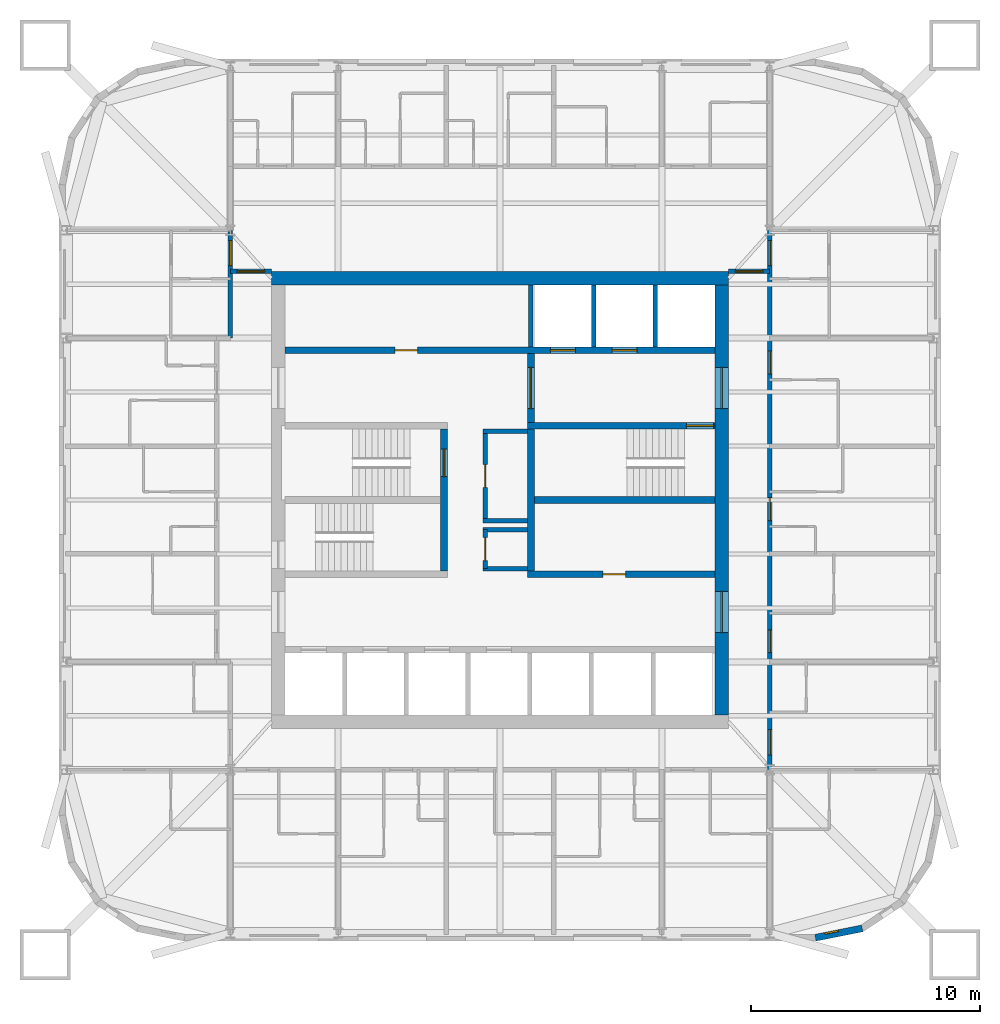
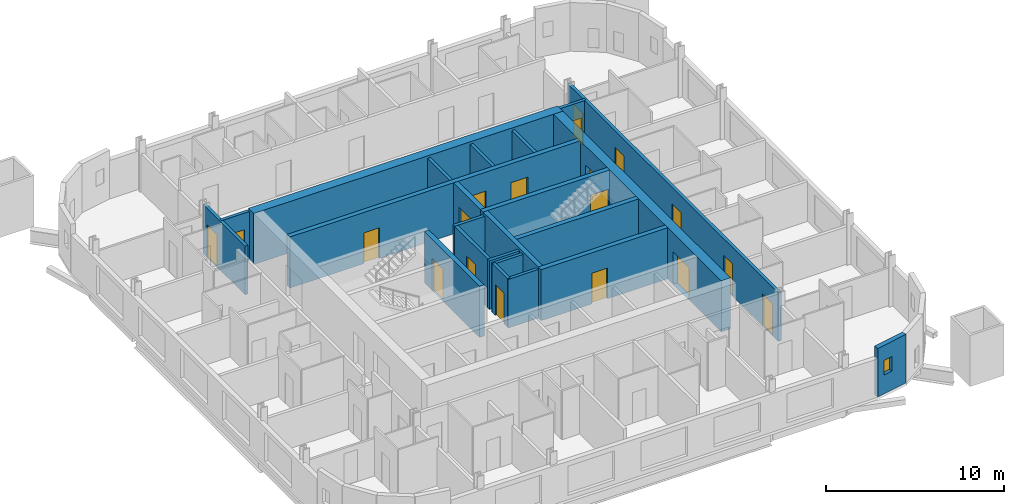
# One storey, part 5 of 9: 22 walls, 19 doors, 1 window, 20 openings.
"""IFC4 building model written with IfcOpenShell, lengths in metres."""

from ifc_helpers import new_model, si_unit, direction, frame, frame_2d, origin, place, context, subcontext, project, spatial, rectangle, extrude, material, layer, layer_set, type_object, element, fill, save


model = new_model("IFC4")

# Units and contexts
model_context = context("Model", 3, precision=1e-05, world=origin(), true_north=direction((0.0, 1.0)))
body_context = subcontext(model_context, "Body", "Model", "MODEL_VIEW")
ifc_project = project(units=[si_unit("LENGTHUNIT", "METRE"), si_unit("AREAUNIT", "SQUARE_METRE"), si_unit("VOLUMEUNIT", "CUBIC_METRE"), si_unit("PLANEANGLEUNIT", "RADIAN"), si_unit("MASSUNIT", "GRAM", prefix="KILO")], contexts=[model_context])

# Site, building, storey
site_placement = place(None, origin())
site = spatial("IfcSite", under=ifc_project, at=site_placement, CompositionType="ELEMENT")
building_placement = place(site_placement, origin())
building = spatial("IfcBuilding", under=site, at=building_placement, Name="Turquesa Mirador Hotel Tower", CompositionType="ELEMENT")
storey_placement = place(building_placement, frame((0.0, 0.0, 214.300048828125)))
storey = spatial("IfcBuildingStorey", under=building, at=storey_placement, Name="L58", CompositionType="ELEMENT", Elevation=214.300048828125)

# Wall, openings, doors
ifc_material_1 = material(Name="Concrete C50/60", Category="concrete")
ifc_layer_1 = layer(ifc_material_1, 0.300048828125)
ifc_layer_set_1 = layer_set([ifc_layer_1], Name="CORE INNER WALL 300")
wall_type_1 = type_object("IfcWallType", Name="CORE INNER WALL 300", PredefinedType="SHEAR", material=ifc_layer_set_1)
wall_1_placement = place(storey_placement, frame((45.60009765625, 51.550048828125, 0.0), z_axis=(0.0, 0.0, 1.0), x_axis=(1.0, 0.0, 0.0)))
wall_1 = element("IfcWall", 1, at=wall_1_placement, inside=storey, type_object=wall_type_1, Name="Core wall NL", PredefinedType="SHEAR", context=body_context, shape_type="SweptSolid", body=[
    extrude(rectangle(XDim=18.7998046875, YDim=0.300048828125, at=frame_2d((9.39990234375, 0.0))), origin(), (0.0, 0.0, 1.0), 3.5),
])
opening_1_placement = place(wall_1_placement, frame((4.800048828125, 0.0, 0.0)))
opening_1 = element("IfcOpeningElement", 2, at=opening_1_placement, cuts=wall_1, Name="Opening D05", PredefinedType="OPENING", context=body_context, shape_type="SweptSolid", body=[
    extrude(rectangle(XDim=1.0, YDim=2.10009765625, at=frame_2d((0.5, 1.050048828125))), frame((0.0, 0.159912109375, 0.0), z_axis=(0.0, -1.0, 0.0), x_axis=(1.0, 0.0, 0.0)), (0.0, 0.0, 1.0), 0.320068359375),
])
opening_2_placement = place(wall_1_placement, frame((11.60009765625, 0.0, 0.0)))
opening_2 = element("IfcOpeningElement", 3, at=opening_2_placement, cuts=wall_1, Name="Opening LD", PredefinedType="OPENING", context=body_context, shape_type="SweptSolid", body=[
    extrude(rectangle(XDim=1.10009765625, YDim=2.199951171875, at=frame_2d((0.550048828125, 1.10009765625))), frame((0.0, 0.159912109375, 0.0), z_axis=(0.0, -1.0, 0.0), x_axis=(1.0, 0.0, 0.0)), (0.0, 0.0, 1.0), 0.320068359375),
])
opening_3_placement = place(wall_1_placement, frame((14.300048828125, 0.0, 0.0)))
opening_3 = element("IfcOpeningElement", 4, at=opening_3_placement, cuts=wall_1, Name="Opening LD", PredefinedType="OPENING", context=body_context, shape_type="SweptSolid", body=[
    extrude(rectangle(XDim=1.10009765625, YDim=2.199951171875, at=frame_2d((0.550048828125, 1.10009765625))), frame((0.0, 0.159912109375, 0.0), z_axis=(0.0, -1.0, 0.0), x_axis=(1.0, 0.0, 0.0)), (0.0, 0.0, 1.0), 0.320068359375),
])
ifc_material_2 = material(Name="Steel fire door", Category="steel")
door_type_1 = type_object("IfcDoorType", Name="DOOR 1000X2100 SERVICE", OperationType="SINGLE_SWING_LEFT", PredefinedType="DOOR", material=ifc_material_2)
door_1_placement = place(opening_1_placement, origin())
door_1 = element("IfcDoor", 5, at=door_1_placement, inside=storey, type_object=door_type_1, Name="Linen store door", OperationType="SINGLE_SWING_LEFT", OverallHeight=2.10009765625, OverallWidth=1.0, PredefinedType="DOOR", context=body_context, shape_type="SweptSolid", body=[
    extrude(rectangle(XDim=1.0, YDim=2.10009765625, at=frame_2d((0.5, 1.050048828125))), frame((0.0, 0.02490234375, 0.0), z_axis=(0.0, -1.0, 0.0), x_axis=(1.0, 0.0, 0.0)), (0.0, 0.0, 1.0), 0.050048828125),
])
fill(opening_1, door_1)
ifc_material_3 = material(Name="Stainless steel lift landing door", Category="steel")
door_type_2 = type_object("IfcDoorType", Name="LIFT LANDING DOOR 1100X2200", OperationType="SLIDING_TO_LEFT", PredefinedType="DOOR", material=ifc_material_3)
door_2_placement = place(opening_2_placement, origin())
door_2 = element("IfcDoor", 6, at=door_2_placement, inside=storey, type_object=door_type_2, Name="Lift S1 landing door", OperationType="SLIDING_TO_LEFT", OverallHeight=2.199951171875, OverallWidth=1.10009765625, PredefinedType="DOOR", context=body_context, shape_type="SweptSolid", body=[
    extrude(rectangle(XDim=1.10009765625, YDim=2.199951171875, at=frame_2d((0.550048828125, 1.10009765625))), frame((0.0, 0.02490234375, 0.0), z_axis=(0.0, -1.0, 0.0), x_axis=(1.0, 0.0, 0.0)), (0.0, 0.0, 1.0), 0.050048828125),
])
fill(opening_2, door_2)
door_3_placement = place(opening_3_placement, origin())
door_3 = element("IfcDoor", 7, at=door_3_placement, inside=storey, type_object=door_type_2, Name="Lift S2 landing door", OperationType="SLIDING_TO_LEFT", OverallHeight=2.199951171875, OverallWidth=1.10009765625, PredefinedType="DOOR", context=body_context, shape_type="SweptSolid", body=[
    extrude(rectangle(XDim=1.10009765625, YDim=2.199951171875, at=frame_2d((0.550048828125, 1.10009765625))), frame((0.0, 0.02490234375, 0.0), z_axis=(0.0, -1.0, 0.0), x_axis=(1.0, 0.0, 0.0)), (0.0, 0.0, 1.0), 0.050048828125),
])
fill(opening_3, door_3)

# Wall, opening, door
wall_2_placement = place(storey_placement, frame((56.199951171875, 48.25, 0.0), z_axis=(0.0, 0.0, 1.0), x_axis=(1.0, 0.0, 0.0)))
wall_2 = element("IfcWall", 8, at=wall_2_placement, inside=storey, type_object=wall_type_1, Name="Core wall MN-E", PredefinedType="SHEAR", context=body_context, shape_type="SweptSolid", body=[
    extrude(rectangle(XDim=8.199951171875, YDim=0.300048828125, at=frame_2d((4.10009765625, 0.0))), origin(), (0.0, 0.0, 1.0), 3.5),
])
opening_4_placement = place(wall_2_placement, frame((6.949951171875, 0.0, 0.0)))
opening_4 = element("IfcOpeningElement", 9, at=opening_4_placement, cuts=wall_2, Name="Opening D03", PredefinedType="OPENING", context=body_context, shape_type="SweptSolid", body=[
    extrude(rectangle(XDim=1.199951171875, YDim=2.199951171875, at=frame_2d((0.60009765625, 1.10009765625))), frame((0.0, 0.159912109375, 0.0), z_axis=(0.0, -1.0, 0.0), x_axis=(1.0, 0.0, 0.0)), (0.0, 0.0, 1.0), 0.320068359375),
])
ifc_material_4 = material(Name="Steel fire door", Category="steel")
door_type_3 = type_object("IfcDoorType", Name="DOOR 1200X2200 STAIR", OperationType="SINGLE_SWING_LEFT", PredefinedType="DOOR", material=ifc_material_4)
door_4_placement = place(opening_4_placement, origin())
door_4 = element("IfcDoor", 10, at=door_4_placement, inside=storey, type_object=door_type_3, Name="Stair ST3 door", OperationType="SINGLE_SWING_LEFT", OverallHeight=2.199951171875, OverallWidth=1.199951171875, PredefinedType="DOOR", context=body_context, shape_type="SweptSolid", body=[
    extrude(rectangle(XDim=1.199951171875, YDim=2.199951171875, at=frame_2d((0.60009765625, 1.10009765625))), frame((0.0, 0.02490234375, 0.0), z_axis=(0.0, -1.0, 0.0), x_axis=(1.0, 0.0, 0.0)), (0.0, 0.0, 1.0), 0.050048828125),
])
fill(opening_4, door_4)

wall_3_placement = place(storey_placement, frame((56.199951171875, 41.75, 0.0), z_axis=(0.0, 0.0, 1.0), x_axis=(1.0, 0.0, 0.0)))
wall_3 = element("IfcWall", 11, at=wall_3_placement, inside=storey, type_object=wall_type_1, Name="Core wall MS-E", PredefinedType="SHEAR", context=body_context, shape_type="SweptSolid", body=[
    extrude(rectangle(XDim=8.199951171875, YDim=0.300048828125, at=frame_2d((4.10009765625, 0.0))), origin(), (0.0, 0.0, 1.0), 3.5),
])
opening_5_placement = place(wall_3_placement, frame((3.300048828125, 0.0, 0.0)))
opening_5 = element("IfcOpeningElement", 12, at=opening_5_placement, cuts=wall_3, Name="Opening D05", PredefinedType="OPENING", context=body_context, shape_type="SweptSolid", body=[
    extrude(rectangle(XDim=1.0, YDim=2.10009765625, at=frame_2d((0.5, 1.050048828125))), frame((0.0, 0.159912109375, 0.0), z_axis=(0.0, -1.0, 0.0), x_axis=(1.0, 0.0, 0.0)), (0.0, 0.0, 1.0), 0.320068359375),
])
door_5_placement = place(opening_5_placement, origin())
door_5 = element("IfcDoor", 13, at=door_5_placement, inside=storey, type_object=door_type_1, Name="Housekeeping room door", OperationType="SINGLE_SWING_LEFT", OverallHeight=2.10009765625, OverallWidth=1.0, PredefinedType="DOOR", context=body_context, shape_type="SweptSolid", body=[
    extrude(rectangle(XDim=1.0, YDim=2.10009765625, at=frame_2d((0.5, 1.050048828125))), frame((0.0, 0.02490234375, 0.0), z_axis=(0.0, -1.0, 0.0), x_axis=(1.0, 0.0, 0.0)), (0.0, 0.0, 1.0), 0.050048828125),
])
fill(opening_5, door_5)

wall_4_placement = place(storey_placement, frame((52.550048828125, 41.89990234375, 0.0), z_axis=(0.0, 0.0, 1.0), x_axis=(0.0, 1.0, 0.0)))
wall_4 = element("IfcWall", 14, at=wall_4_placement, inside=storey, type_object=wall_type_1, Name="Core wall PW", PredefinedType="SHEAR", context=body_context, shape_type="SweptSolid", body=[
    extrude(rectangle(XDim=6.2001953125, YDim=0.300048828125, at=frame_2d((3.10009765625, 0.0))), origin(), (0.0, 0.0, 1.0), 3.5),
])
opening_6_placement = place(wall_4_placement, frame((4.125, 0.0, 0.0)))
opening_6 = element("IfcOpeningElement", 15, at=opening_6_placement, cuts=wall_4, Name="Opening D03", PredefinedType="OPENING", context=body_context, shape_type="SweptSolid", body=[
    extrude(rectangle(XDim=1.199951171875, YDim=2.199951171875, at=frame_2d((0.60009765625, 1.10009765625))), frame((0.0, 0.159912109375, 0.0), z_axis=(0.0, -1.0, 0.0), x_axis=(1.0, 0.0, 0.0)), (0.0, 0.0, 1.0), 0.320068359375),
])
door_6_placement = place(opening_6_placement, origin())
door_6 = element("IfcDoor", 16, at=door_6_placement, inside=storey, type_object=door_type_3, Name="Stair ST1 door", OperationType="SINGLE_SWING_LEFT", OverallHeight=2.199951171875, OverallWidth=1.199951171875, PredefinedType="DOOR", context=body_context, shape_type="SweptSolid", body=[
    extrude(rectangle(XDim=1.199951171875, YDim=2.199951171875, at=frame_2d((0.60009765625, 1.10009765625))), frame((0.0, 0.02490234375, 0.0), z_axis=(0.0, -1.0, 0.0), x_axis=(1.0, 0.0, 0.0)), (0.0, 0.0, 1.0), 0.050048828125),
])
fill(opening_6, door_6)

wall_5_placement = place(storey_placement, frame((56.35009765625, 41.89990234375, 0.0), z_axis=(0.0, 0.0, 1.0), x_axis=(0.0, 1.0, 0.0)))
wall_5 = element("IfcWall", 17, at=wall_5_placement, inside=storey, type_object=wall_type_1, Name="Core wall PE", PredefinedType="SHEAR", context=body_context, shape_type="SweptSolid", body=[
    extrude(rectangle(XDim=9.5, YDim=0.300048828125, at=frame_2d((4.75, 0.0))), origin(), (0.0, 0.0, 1.0), 3.5),
])
opening_7_placement = place(wall_5_placement, frame((7.10009765625, 0.0, 0.0)))
opening_7 = element("IfcOpeningElement", 18, at=opening_7_placement, cuts=wall_5, Name="Opening D04", PredefinedType="OPENING", context=body_context, shape_type="SweptSolid", body=[
    extrude(rectangle(XDim=1.800048828125, YDim=2.199951171875, at=frame_2d((0.89990234375, 1.10009765625))), frame((0.0, 0.159912109375, 0.0), z_axis=(0.0, -1.0, 0.0), x_axis=(1.0, 0.0, 0.0)), (0.0, 0.0, 1.0), 0.320068359375),
])
ifc_material_5 = material(Name="Steel fire door pair", Category="steel")
door_type_4 = type_object("IfcDoorType", Name="DOOR 1800X2200 PAIR", OperationType="DOUBLE_DOOR_SINGLE_SWING", PredefinedType="DOOR", material=ifc_material_5)
door_7_placement = place(opening_7_placement, origin())
door_7 = element("IfcDoor", 19, at=door_7_placement, inside=storey, type_object=door_type_4, Name="Firefighting lobby inner door", OperationType="DOUBLE_DOOR_SINGLE_SWING", OverallHeight=2.199951171875, OverallWidth=1.800048828125, PredefinedType="DOOR", context=body_context, shape_type="SweptSolid", body=[
    extrude(rectangle(XDim=1.800048828125, YDim=2.199951171875, at=frame_2d((0.89990234375, 1.10009765625))), frame((0.0, 0.02490234375, 0.0), z_axis=(0.0, -1.0, 0.0), x_axis=(1.0, 0.0, 0.0)), (0.0, 0.0, 1.0), 0.050048828125),
])
fill(opening_7, door_7)

# Walls
wall_6_placement = place(storey_placement, frame((56.5, 45.0, 0.0), z_axis=(0.0, 0.0, 1.0), x_axis=(1.0, 0.0, 0.0)))
element("IfcWall", 20, at=wall_6_placement, inside=storey, type_object=wall_type_1, Name="Core wall M0-E", PredefinedType="SHEAR", context=body_context, shape_type="SweptSolid", body=[
    extrude(rectangle(XDim=7.89990234375, YDim=0.300048828125, at=frame_2d((3.949951171875, 0.0))), origin(), (0.0, 0.0, 1.0), 3.5),
])
ifc_material_6 = material(Name="Concrete C50/60", Category="concrete")
ifc_layer_2 = layer(ifc_material_6, 0.60009765625)
ifc_layer_set_2 = layer_set([ifc_layer_2], Name="CORE WALL 600")
wall_type_2 = type_object("IfcWallType", Name="CORE WALL 600", PredefinedType="SHEAR", material=ifc_layer_set_2)
wall_7_placement = place(storey_placement, frame((45.0, 54.699951171875, 0.0), z_axis=(0.0, 0.0, 1.0), x_axis=(1.0, 0.0, 0.0)))
element("IfcWall", 21, at=wall_7_placement, inside=storey, type_object=wall_type_2, Name="Core wall N", PredefinedType="SHEAR", context=body_context, shape_type="SweptSolid", body=[
    extrude(rectangle(XDim=20.0, YDim=0.60009765625, at=frame_2d((10.0, 0.0))), origin(), (0.0, 0.0, 1.0), 3.5),
])

# Wall, openings, doors
wall_8_placement = place(storey_placement, frame((64.699951171875, 35.60009765625, 0.0), z_axis=(0.0, 0.0, 1.0), x_axis=(0.0, 1.0, 0.0)))
wall_8 = element("IfcWall", 22, at=wall_8_placement, inside=storey, type_object=wall_type_2, Name="Core wall E", PredefinedType="SHEAR", context=body_context, shape_type="SweptSolid", body=[
    extrude(rectangle(XDim=18.7998046875, YDim=0.60009765625, at=frame_2d((9.39990234375, 0.0))), origin(), (0.0, 0.0, 1.0), 3.5),
])
opening_8_placement = place(wall_8_placement, frame((13.39990234375, 0.0, 0.0)))
opening_8 = element("IfcOpeningElement", 23, at=opening_8_placement, cuts=wall_8, Name="Opening D04", PredefinedType="OPENING", context=body_context, shape_type="SweptSolid", body=[
    extrude(rectangle(XDim=1.800048828125, YDim=2.199951171875, at=frame_2d((0.89990234375, 1.10009765625))), frame((0.0, 0.31005859375, 0.0), z_axis=(0.0, -1.0, 0.0), x_axis=(1.0, 0.0, 0.0)), (0.0, 0.0, 1.0), 0.6201171875),
])
opening_9_placement = place(wall_8_placement, frame((3.60009765625, 0.0, 0.0)))
opening_9 = element("IfcOpeningElement", 24, at=opening_9_placement, cuts=wall_8, Name="Opening D04", PredefinedType="OPENING", context=body_context, shape_type="SweptSolid", body=[
    extrude(rectangle(XDim=1.800048828125, YDim=2.199951171875, at=frame_2d((0.89990234375, 1.10009765625))), frame((0.0, 0.31005859375, 0.0), z_axis=(0.0, -1.0, 0.0), x_axis=(1.0, 0.0, 0.0)), (0.0, 0.0, 1.0), 0.6201171875),
])
door_8_placement = place(opening_8_placement, origin())
door_8 = element("IfcDoor", 25, at=door_8_placement, inside=storey, type_object=door_type_4, Name="Firefighting lobby door", OperationType="DOUBLE_DOOR_SINGLE_SWING", OverallHeight=2.199951171875, OverallWidth=1.800048828125, PredefinedType="DOOR", context=body_context, shape_type="SweptSolid", body=[
    extrude(rectangle(XDim=1.800048828125, YDim=2.199951171875, at=frame_2d((0.89990234375, 1.10009765625))), frame((0.0, 0.02490234375, 0.0), z_axis=(0.0, -1.0, 0.0), x_axis=(1.0, 0.0, 0.0)), (0.0, 0.0, 1.0), 0.050048828125),
])
fill(opening_8, door_8)
door_9_placement = place(opening_9_placement, origin())
door_9 = element("IfcDoor", 26, at=door_9_placement, inside=storey, type_object=door_type_4, Name="South lift lobby door", OperationType="DOUBLE_DOOR_SINGLE_SWING", OverallHeight=2.199951171875, OverallWidth=1.800048828125, PredefinedType="DOOR", context=body_context, shape_type="SweptSolid", body=[
    extrude(rectangle(XDim=1.800048828125, YDim=2.199951171875, at=frame_2d((0.89990234375, 1.10009765625))), frame((0.0, 0.02490234375, 0.0), z_axis=(0.0, -1.0, 0.0), x_axis=(1.0, 0.0, 0.0)), (0.0, 0.0, 1.0), 0.050048828125),
])
fill(opening_9, door_9)

# Wall, opening, door
ifc_material_7 = material(Name="Fire-rated gypsum board on steel studs", Category="steel")
ifc_layer_3 = layer(ifc_material_7, 0.199951171875)
ifc_layer_set_3 = layer_set([ifc_layer_3], Name="CORRIDOR WALL 200")
wall_type_3 = type_object("IfcWallType", Name="CORRIDOR WALL 200", PredefinedType="PARTITIONING", material=ifc_layer_set_3)
wall_9_placement = place(storey_placement, frame((43.199951171875, 55.0, 0.0), z_axis=(0.0, 0.0, 1.0), x_axis=(1.0, 0.0, 0.0)))
wall_9 = element("IfcWall", 27, at=wall_9_placement, inside=storey, type_object=wall_type_3, Name="Partition L58 028", PredefinedType="PARTITIONING", context=body_context, shape_type="SweptSolid", body=[
    extrude(rectangle(XDim=1.800048828125, YDim=0.199951171875, at=frame_2d((0.89990234375, 0.0))), origin(), (0.0, 0.0, 1.0), 3.329833984375),
])
opening_10_placement = place(wall_9_placement, frame((0.300048828125, 0.0, 0.0)))
opening_10 = element("IfcOpeningElement", 28, at=opening_10_placement, cuts=wall_9, Name="Opening D19", PredefinedType="OPENING", context=body_context, shape_type="SweptSolid", body=[
    extrude(rectangle(XDim=1.199951171875, YDim=2.199951171875, at=frame_2d((0.60009765625, 1.10009765625))), frame((0.0, 0.10986328125, 0.0), z_axis=(0.0, -1.0, 0.0), x_axis=(1.0, 0.0, 0.0)), (0.0, 0.0, 1.0), 0.219970703125),
])
ifc_material_8 = material(Name="Steel glazed fire door", Category="steel")
door_type_5 = type_object("IfcDoorType", Name="DOOR 1200X2200 FIRE DOOR GLAZED", OperationType="SINGLE_SWING_LEFT", PredefinedType="DOOR", material=ifc_material_8)
door_10_placement = place(opening_10_placement, origin())
door_10 = element("IfcDoor", 29, at=door_10_placement, inside=storey, type_object=door_type_5, Name="Door L58-C03", OperationType="SINGLE_SWING_LEFT", OverallHeight=2.199951171875, OverallWidth=1.199951171875, PredefinedType="DOOR", context=body_context, shape_type="SweptSolid", body=[
    extrude(rectangle(XDim=1.199951171875, YDim=2.199951171875, at=frame_2d((0.60009765625, 1.10009765625))), frame((0.0, 0.02490234375, 0.0), z_axis=(0.0, -1.0, 0.0), x_axis=(1.0, 0.0, 0.0)), (0.0, 0.0, 1.0), 0.050048828125),
])
fill(opening_10, door_10)

wall_10_placement = place(storey_placement, frame((65.0, 55.0, 0.0), z_axis=(0.0, 0.0, 1.0), x_axis=(1.0, 0.0, 0.0)))
wall_10 = element("IfcWall", 30, at=wall_10_placement, inside=storey, type_object=wall_type_3, Name="Partition L58 029", PredefinedType="PARTITIONING", context=body_context, shape_type="SweptSolid", body=[
    extrude(rectangle(XDim=1.800048828125, YDim=0.199951171875, at=frame_2d((0.89990234375, 0.0))), origin(), (0.0, 0.0, 1.0), 3.329833984375),
])
opening_11_placement = place(wall_10_placement, frame((0.300048828125, 0.0, 0.0)))
opening_11 = element("IfcOpeningElement", 31, at=opening_11_placement, cuts=wall_10, Name="Opening D19", PredefinedType="OPENING", context=body_context, shape_type="SweptSolid", body=[
    extrude(rectangle(XDim=1.199951171875, YDim=2.199951171875, at=frame_2d((0.60009765625, 1.10009765625))), frame((0.0, 0.10986328125, 0.0), z_axis=(0.0, -1.0, 0.0), x_axis=(1.0, 0.0, 0.0)), (0.0, 0.0, 1.0), 0.219970703125),
])
door_11_placement = place(opening_11_placement, origin())
door_11 = element("IfcDoor", 32, at=door_11_placement, inside=storey, type_object=door_type_5, Name="Door L58-C03-1", OperationType="SINGLE_SWING_LEFT", OverallHeight=2.199951171875, OverallWidth=1.199951171875, PredefinedType="DOOR", context=body_context, shape_type="SweptSolid", body=[
    extrude(rectangle(XDim=1.199951171875, YDim=2.199951171875, at=frame_2d((0.60009765625, 1.10009765625))), frame((0.0, 0.02490234375, 0.0), z_axis=(0.0, -1.0, 0.0), x_axis=(1.0, 0.0, 0.0)), (0.0, 0.0, 1.0), 0.050048828125),
])
fill(opening_11, door_11)

wall_11_placement = place(storey_placement, frame((43.199951171875, 52.080078125, 0.0), z_axis=(0.0, 0.0, 1.0), x_axis=(0.0, 1.0, 0.0)))
wall_11 = element("IfcWall", 33, at=wall_11_placement, inside=storey, type_object=wall_type_3, Name="Partition L58 057", PredefinedType="PARTITIONING", context=body_context, shape_type="SweptSolid", body=[
    extrude(rectangle(XDim=4.699951171875, YDim=0.199951171875, at=frame_2d((2.35009765625, 0.0))), origin(), (0.0, 0.0, 1.0), 3.329833984375),
])
opening_12_placement = place(wall_11_placement, frame((3.169921875, 0.0, 0.0)))
opening_12 = element("IfcOpeningElement", 34, at=opening_12_placement, cuts=wall_11, Name="Opening D15", PredefinedType="OPENING", context=body_context, shape_type="SweptSolid", body=[
    extrude(rectangle(XDim=1.10009765625, YDim=2.199951171875, at=frame_2d((0.550048828125, 1.10009765625))), frame((0.0, 0.10986328125, 0.0), z_axis=(0.0, -1.0, 0.0), x_axis=(1.0, 0.0, 0.0)), (0.0, 0.0, 1.0), 0.219970703125),
])
ifc_material_9 = material(Name="Timber veneered fire door", Category="wood")
door_type_6 = type_object("IfcDoorType", Name="DOOR 1100X2200 SUITE ENTRY", OperationType="SINGLE_SWING_LEFT", PredefinedType="DOOR", material=ifc_material_9)
door_12_placement = place(opening_12_placement, origin())
door_12 = element("IfcDoor", 35, at=door_12_placement, inside=storey, type_object=door_type_6, Name="Door 5818H", OperationType="SINGLE_SWING_LEFT", OverallHeight=2.199951171875, OverallWidth=1.10009765625, PredefinedType="DOOR", context=body_context, shape_type="SweptSolid", body=[
    extrude(rectangle(XDim=1.10009765625, YDim=2.199951171875, at=frame_2d((0.550048828125, 1.10009765625))), frame((0.0, 0.02490234375, 0.0), z_axis=(0.0, -1.0, 0.0), x_axis=(1.0, 0.0, 0.0)), (0.0, 0.0, 1.0), 0.050048828125),
])
fill(opening_12, door_12)

# Wall, openings, doors
wall_12_placement = place(storey_placement, frame((66.800048828125, 33.199951171875, 0.0), z_axis=(0.0, 0.0, 1.0), x_axis=(0.0, 1.0, 0.0)))
wall_12 = element("IfcWall", 36, at=wall_12_placement, inside=storey, type_object=wall_type_3, Name="Partition L58 081", PredefinedType="PARTITIONING", context=body_context, shape_type="SweptSolid", body=[
    extrude(rectangle(XDim=23.580078125, YDim=0.199951171875, at=frame_2d((11.7900390625, 0.0))), origin(), (0.0, 0.0, 1.0), 3.329833984375),
])
opening_13_placement = place(wall_12_placement, frame((5.1201171875, 0.0, 0.0)))
opening_13 = element("IfcOpeningElement", 37, at=opening_13_placement, cuts=wall_12, Name="Opening D01", PredefinedType="OPENING", context=body_context, shape_type="SweptSolid", body=[
    extrude(rectangle(XDim=1.0, YDim=2.199951171875, at=frame_2d((0.5, 1.10009765625))), frame((0.0, 0.10986328125, 0.0), z_axis=(0.0, -1.0, 0.0), x_axis=(1.0, 0.0, 0.0)), (0.0, 0.0, 1.0), 0.219970703125),
])
opening_14_placement = place(wall_12_placement, frame((10.89990234375, 0.0, 0.0)))
opening_14 = element("IfcOpeningElement", 38, at=opening_14_placement, cuts=wall_12, Name="Opening D01", PredefinedType="OPENING", context=body_context, shape_type="SweptSolid", body=[
    extrude(rectangle(XDim=1.0, YDim=2.199951171875, at=frame_2d((0.5, 1.10009765625))), frame((0.0, 0.10986328125, 0.0), z_axis=(0.0, -1.0, 0.0), x_axis=(1.0, 0.0, 0.0)), (0.0, 0.0, 1.0), 0.219970703125),
])
opening_15_placement = place(wall_12_placement, frame((17.31005859375, 0.0, 0.0)))
opening_15 = element("IfcOpeningElement", 39, at=opening_15_placement, cuts=wall_12, Name="Opening D01", PredefinedType="OPENING", context=body_context, shape_type="SweptSolid", body=[
    extrude(rectangle(XDim=1.0, YDim=2.199951171875, at=frame_2d((0.5, 1.10009765625))), frame((0.0, 0.10986328125, 0.0), z_axis=(0.0, -1.0, 0.0), x_axis=(1.0, 0.0, 0.0)), (0.0, 0.0, 1.0), 0.219970703125),
])
opening_16_placement = place(wall_12_placement, frame((22.050048828125, 0.0, 0.0)))
opening_16 = element("IfcOpeningElement", 40, at=opening_16_placement, cuts=wall_12, Name="Opening D15", PredefinedType="OPENING", context=body_context, shape_type="SweptSolid", body=[
    extrude(rectangle(XDim=1.10009765625, YDim=2.199951171875, at=frame_2d((0.550048828125, 1.10009765625))), frame((0.0, 0.10986328125, 0.0), z_axis=(0.0, -1.0, 0.0), x_axis=(1.0, 0.0, 0.0)), (0.0, 0.0, 1.0), 0.219970703125),
])
opening_17_placement = place(wall_12_placement, frame((0.64990234375, 0.0, 0.0)))
opening_17 = element("IfcOpeningElement", 41, at=opening_17_placement, cuts=wall_12, Name="Opening D15", PredefinedType="OPENING", context=body_context, shape_type="SweptSolid", body=[
    extrude(rectangle(XDim=1.10009765625, YDim=2.199951171875, at=frame_2d((0.550048828125, 1.10009765625))), frame((0.0, 0.10986328125, 0.0), z_axis=(0.0, -1.0, 0.0), x_axis=(1.0, 0.0, 0.0)), (0.0, 0.0, 1.0), 0.219970703125),
])
ifc_material_10 = material(Name="Timber veneered fire door", Category="wood")
door_type_7 = type_object("IfcDoorType", Name="DOOR 1000X2200 GUEST ENTRY", OperationType="SINGLE_SWING_LEFT", PredefinedType="DOOR", material=ifc_material_10)
door_13_placement = place(opening_13_placement, origin())
door_13 = element("IfcDoor", 42, at=door_13_placement, inside=storey, type_object=door_type_7, Name="Door 5811", OperationType="SINGLE_SWING_LEFT", OverallHeight=2.199951171875, OverallWidth=1.0, PredefinedType="DOOR", context=body_context, shape_type="SweptSolid", body=[
    extrude(rectangle(XDim=1.0, YDim=2.199951171875, at=frame_2d((0.5, 1.10009765625))), frame((0.0, 0.02490234375, 0.0), z_axis=(0.0, -1.0, 0.0), x_axis=(1.0, 0.0, 0.0)), (0.0, 0.0, 1.0), 0.050048828125),
])
fill(opening_13, door_13)
door_14_placement = place(opening_14_placement, origin())
door_14 = element("IfcDoor", 43, at=door_14_placement, inside=storey, type_object=door_type_7, Name="Door 5812", OperationType="SINGLE_SWING_LEFT", OverallHeight=2.199951171875, OverallWidth=1.0, PredefinedType="DOOR", context=body_context, shape_type="SweptSolid", body=[
    extrude(rectangle(XDim=1.0, YDim=2.199951171875, at=frame_2d((0.5, 1.10009765625))), frame((0.0, 0.02490234375, 0.0), z_axis=(0.0, -1.0, 0.0), x_axis=(1.0, 0.0, 0.0)), (0.0, 0.0, 1.0), 0.050048828125),
])
fill(opening_14, door_14)
door_15_placement = place(opening_15_placement, origin())
door_15 = element("IfcDoor", 44, at=door_15_placement, inside=storey, type_object=door_type_7, Name="Door 5813", OperationType="SINGLE_SWING_LEFT", OverallHeight=2.199951171875, OverallWidth=1.0, PredefinedType="DOOR", context=body_context, shape_type="SweptSolid", body=[
    extrude(rectangle(XDim=1.0, YDim=2.199951171875, at=frame_2d((0.5, 1.10009765625))), frame((0.0, 0.02490234375, 0.0), z_axis=(0.0, -1.0, 0.0), x_axis=(1.0, 0.0, 0.0)), (0.0, 0.0, 1.0), 0.050048828125),
])
fill(opening_15, door_15)
door_16_placement = place(opening_16_placement, origin())
door_16 = element("IfcDoor", 45, at=door_16_placement, inside=storey, type_object=door_type_6, Name="Door 5817H", OperationType="SINGLE_SWING_LEFT", OverallHeight=2.199951171875, OverallWidth=1.10009765625, PredefinedType="DOOR", context=body_context, shape_type="SweptSolid", body=[
    extrude(rectangle(XDim=1.10009765625, YDim=2.199951171875, at=frame_2d((0.550048828125, 1.10009765625))), frame((0.0, 0.02490234375, 0.0), z_axis=(0.0, -1.0, 0.0), x_axis=(1.0, 0.0, 0.0)), (0.0, 0.0, 1.0), 0.050048828125),
])
fill(opening_16, door_16)
door_17_placement = place(opening_17_placement, origin())
door_17 = element("IfcDoor", 46, at=door_17_placement, inside=storey, type_object=door_type_6, Name="Door 5820", OperationType="SINGLE_SWING_LEFT", OverallHeight=2.199951171875, OverallWidth=1.10009765625, PredefinedType="DOOR", context=body_context, shape_type="SweptSolid", body=[
    extrude(rectangle(XDim=1.10009765625, YDim=2.199951171875, at=frame_2d((0.550048828125, 1.10009765625))), frame((0.0, 0.02490234375, 0.0), z_axis=(0.0, -1.0, 0.0), x_axis=(1.0, 0.0, 0.0)), (0.0, 0.0, 1.0), 0.050048828125),
])
fill(opening_17, door_17)

# Wall, opening, window
ifc_material_11 = material(Name="Limestone cladding on concrete block", Category="masonry")
ifc_layer_4 = layer(ifc_material_11, 0.300048828125)
ifc_layer_set_4 = layer_set([ifc_layer_4], Name="FACADE WALL 300 STONE SCREEN")
wall_type_4 = type_object("IfcWallType", Name="FACADE WALL 300 STONE SCREEN", PredefinedType="SOLIDWALL", material=ifc_layer_set_4)
wall_13_placement = place(storey_placement, frame((68.800048828125, 25.85009765625, 0.0), z_axis=(0.0, 0.0, 1.0), x_axis=(0.980787050784, 0.195081421501, 0.0)))
wall_13 = element("IfcWall", 47, at=wall_13_placement, inside=storey, type_object=wall_type_4, Name="Facade wall L58 00", PredefinedType="SOLIDWALL", context=body_context, shape_type="SweptSolid", body=[
    extrude(rectangle(XDim=2.08740234375, YDim=0.300048828125, at=frame_2d((1.043701171875, 0.0))), origin(), (0.0, 0.0, 1.0), 3.329833984375),
])
opening_18_placement = place(wall_13_placement, frame((0.443603515625, 0.0, 1.300048828125)))
opening_18 = element("IfcOpeningElement", 48, at=opening_18_placement, cuts=wall_13, Name="Opening WN11", PredefinedType="OPENING", context=body_context, shape_type="SweptSolid", body=[
    extrude(rectangle(XDim=0.60009765625, YDim=1.0, at=frame_2d((0.300048828125, 0.5))), frame((0.0, 0.159912109375, 0.0), z_axis=(0.0, -1.0, 0.0), x_axis=(1.0, 0.0, 0.0)), (0.0, 0.0, 1.0), 0.320068359375),
])
ifc_material_12 = material(Name="Ceramic-fritted laminated glass", Category="glass")
window_type = type_object("IfcWindowType", Name="FRITTED CORNER WINDOW 600X1000", PartitioningType="DOUBLE_PANEL_HORIZONTAL", PredefinedType="WINDOW", material=ifc_material_12)
window_placement = place(opening_18_placement, origin())
window = element("IfcWindow", 49, at=window_placement, inside=storey, type_object=window_type, Name="Window L58", OverallHeight=1.0, OverallWidth=0.60009765625, PartitioningType="SINGLE_PANEL", PredefinedType="WINDOW", context=body_context, shape_type="SweptSolid", body=[
    extrude(rectangle(XDim=0.60009765625, YDim=1.0, at=frame_2d((0.300048828125, 0.5))), frame((0.0, 0.130126953125, 0.0), z_axis=(0.0, -1.0, 0.0), x_axis=(1.0, 0.0, 0.0)), (0.0, 0.0, 1.0), 0.06005859375),
])
fill(opening_18, window)

# Wall, opening, door
ifc_material_13 = material(Name="Fire-rated gypsum board on steel studs", Category="steel")
ifc_layer_5 = layer(ifc_material_13, 0.199951171875)
ifc_layer_set_5 = layer_set([ifc_layer_5], Name="FIRE PARTITION 200")
wall_type_5 = type_object("IfcWallType", Name="FIRE PARTITION 200", PredefinedType="PARTITIONING", material=ifc_layer_set_5)
wall_14_placement = place(storey_placement, frame((54.35009765625, 42.0, 0.0), z_axis=(0.0, 0.0, 1.0), x_axis=(0.0, 1.0, 0.0)))
wall_14 = element("IfcWall", 50, at=wall_14_placement, inside=storey, type_object=wall_type_5, Name="Partition L58 SW W", PredefinedType="PARTITIONING", context=body_context, shape_type="SweptSolid", body=[
    extrude(rectangle(XDim=1.699951171875, YDim=0.199951171875, at=frame_2d((0.85009765625, 0.0))), origin(), (0.0, 0.0, 1.0), 3.329833984375),
])
opening_19_placement = place(wall_14_placement, frame((0.35009765625, 0.0, 0.0)))
opening_19 = element("IfcOpeningElement", 51, at=opening_19_placement, cuts=wall_14, Name="Opening D05", PredefinedType="OPENING", context=body_context, shape_type="SweptSolid", body=[
    extrude(rectangle(XDim=1.0, YDim=2.10009765625, at=frame_2d((0.5, 1.050048828125))), frame((0.0, 0.10986328125, 0.0), z_axis=(0.0, -1.0, 0.0), x_axis=(1.0, 0.0, 0.0)), (0.0, 0.0, 1.0), 0.219970703125),
])
door_18_placement = place(opening_19_placement, origin())
door_18 = element("IfcDoor", 52, at=door_18_placement, inside=storey, type_object=door_type_1, Name="Staff WC door", OperationType="SINGLE_SWING_LEFT", OverallHeight=2.10009765625, OverallWidth=1.0, PredefinedType="DOOR", context=body_context, shape_type="SweptSolid", body=[
    extrude(rectangle(XDim=1.0, YDim=2.10009765625, at=frame_2d((0.5, 1.050048828125))), frame((0.0, 0.02490234375, 0.0), z_axis=(0.0, -1.0, 0.0), x_axis=(1.0, 0.0, 0.0)), (0.0, 0.0, 1.0), 0.050048828125),
])
fill(opening_19, door_18)

# Walls
for number, where, z_axis, x_axis, name in (
    (53, (54.25, 42.0, 0.0), (0.0, 0.0, 1.0), (1.0, 0.0, 0.0), "Partition L58 SW S"),
    (54, (54.25, 43.699951171875, 0.0), (0.0, 0.0, 1.0), (1.0, 0.0, 0.0), "Partition L58 SW N"),
):
    element("IfcWall", number, at=place(storey_placement, frame(where, z_axis=z_axis, x_axis=x_axis)), inside=storey, type_object=wall_type_5, Name=name, PredefinedType="PARTITIONING", context=body_context, shape_type="SweptSolid", body=[
        extrude(rectangle(XDim=1.949951171875, YDim=0.199951171875, at=frame_2d((0.97509765625, 0.0))), origin(), (0.0, 0.0, 1.0), 3.329833984375),
    ])

# Wall, opening, door
wall_15_placement = place(storey_placement, frame((54.35009765625, 44.10009765625, 0.0), z_axis=(0.0, 0.0, 1.0), x_axis=(0.0, 1.0, 0.0)))
wall_15 = element("IfcWall", 55, at=wall_15_placement, inside=storey, type_object=wall_type_5, Name="Partition L58 LG W", PredefinedType="PARTITIONING", context=body_context, shape_type="SweptSolid", body=[
    extrude(rectangle(XDim=3.89990234375, YDim=0.199951171875, at=frame_2d((1.949951171875, 0.0))), origin(), (0.0, 0.0, 1.0), 3.329833984375),
])
opening_20_placement = place(wall_15_placement, frame((1.449951171875, 0.0, 0.0)))
opening_20 = element("IfcOpeningElement", 56, at=opening_20_placement, cuts=wall_15, Name="Opening D05", PredefinedType="OPENING", context=body_context, shape_type="SweptSolid", body=[
    extrude(rectangle(XDim=1.0, YDim=2.10009765625, at=frame_2d((0.5, 1.050048828125))), frame((0.0, 0.10986328125, 0.0), z_axis=(0.0, -1.0, 0.0), x_axis=(1.0, 0.0, 0.0)), (0.0, 0.0, 1.0), 0.219970703125),
])
door_19_placement = place(opening_20_placement, origin())
door_19 = element("IfcDoor", 57, at=door_19_placement, inside=storey, type_object=door_type_1, Name="Luggage room door", OperationType="SINGLE_SWING_LEFT", OverallHeight=2.10009765625, OverallWidth=1.0, PredefinedType="DOOR", context=body_context, shape_type="SweptSolid", body=[
    extrude(rectangle(XDim=1.0, YDim=2.10009765625, at=frame_2d((0.5, 1.050048828125))), frame((0.0, 0.02490234375, 0.0), z_axis=(0.0, -1.0, 0.0), x_axis=(1.0, 0.0, 0.0)), (0.0, 0.0, 1.0), 0.050048828125),
])
fill(opening_20, door_19)

# Walls
for number, where, z_axis, x_axis, name in (
    (58, (54.25, 44.10009765625, 0.0), (0.0, 0.0, 1.0), (1.0, 0.0, 0.0), "Partition L58 LG S"),
    (59, (54.25, 48.0, 0.0), (0.0, 0.0, 1.0), (1.0, 0.0, 0.0), "Partition L58 LG N"),
):
    element("IfcWall", number, at=place(storey_placement, frame(where, z_axis=z_axis, x_axis=x_axis)), inside=storey, type_object=wall_type_5, Name=name, PredefinedType="PARTITIONING", context=body_context, shape_type="SweptSolid", body=[
        extrude(rectangle(XDim=1.949951171875, YDim=0.199951171875, at=frame_2d((0.97509765625, 0.0))), origin(), (0.0, 0.0, 1.0), 3.329833984375),
    ])
ifc_material_14 = material(Name="Fire-rated gypsum shaft wall on steel studs", Category="steel")
ifc_layer_6 = layer(ifc_material_14, 0.199951171875)
ifc_layer_set_6 = layer_set([ifc_layer_6], Name="LIFT SHAFT DIVIDER 200")
wall_type_6 = type_object("IfcWallType", Name="LIFT SHAFT DIVIDER 200", PredefinedType="PARTITIONING", material=ifc_layer_set_6)
for number, where, z_axis, x_axis, name in (
    (60, (59.10009765625, 51.699951171875, 0.0), (0.0, 0.0, 1.0), (0.0, 1.0, 0.0), "Lift shaft divider"),
    (61, (61.800048828125, 51.699951171875, 0.0), (0.0, 0.0, 1.0), (0.0, 1.0, 0.0), "Lift shaft divider"),
    (62, (56.35009765625, 51.699951171875, 0.0), (0.0, 0.0, 1.0), (0.0, 1.0, 0.0), "Lift shaft divider"),
):
    element("IfcWall", number, at=place(storey_placement, frame(where, z_axis=z_axis, x_axis=x_axis)), inside=storey, type_object=wall_type_6, Name=name, PredefinedType="PARTITIONING", context=body_context, shape_type="SweptSolid", body=[
        extrude(rectangle(XDim=2.699951171875, YDim=0.199951171875, at=frame_2d((1.35009765625, 0.0))), origin(), (0.0, 0.0, 1.0), 3.329833984375),
    ])

save(model, "model.ifc")
